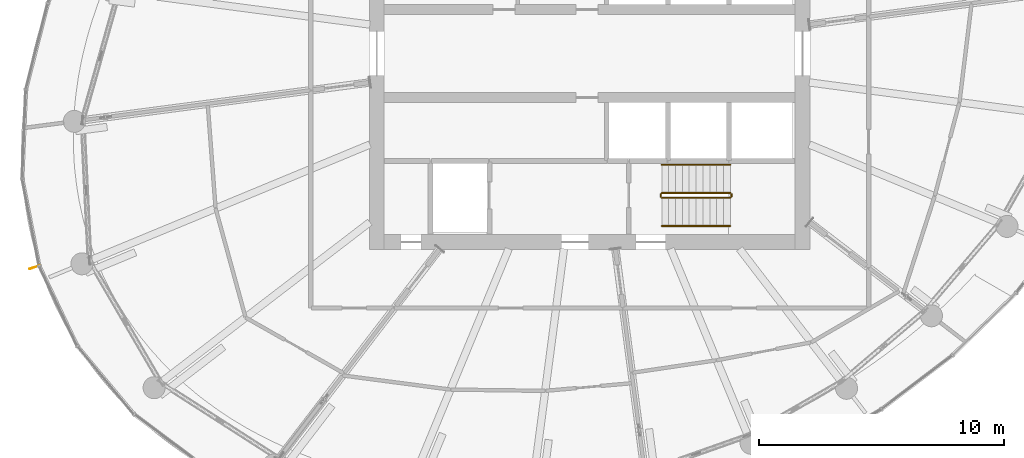
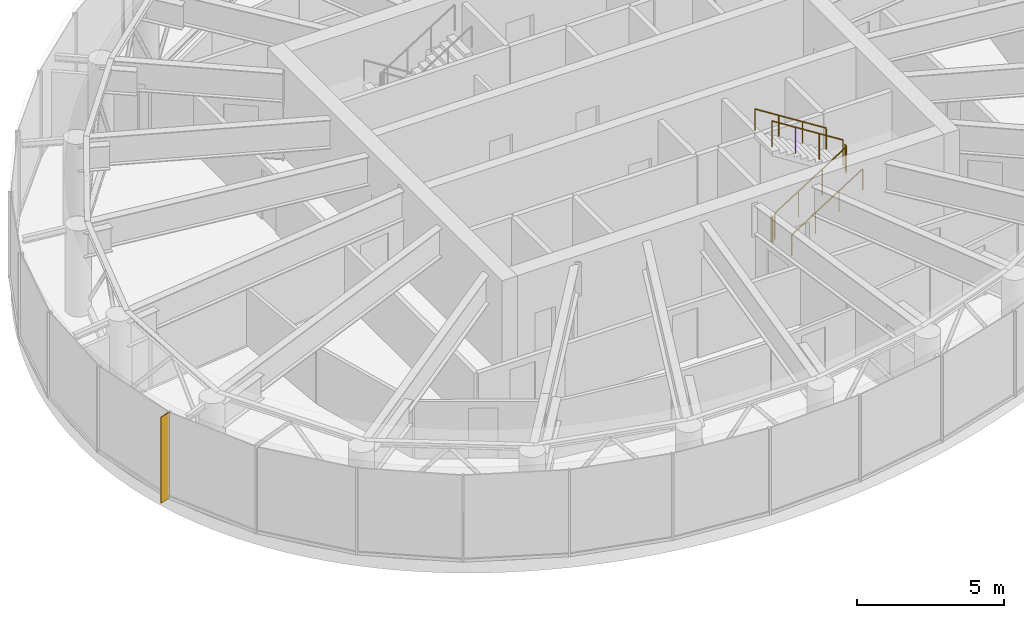
# One storey, part 25 of 26: 6 railings, 1 shading device.
"""IFC4 building model written with IfcOpenShell, lengths in metres."""

from ifc_helpers import new_model, si_unit, direction, frame, origin, origin_2d, place, context, subcontext, project, spatial, rectangle, circle, extrude, source, transform, mapped, material, material_profile, profile_set, type_object, element, save


model = new_model("IFC4")

# Units and contexts
model_context = context("Model", 3, precision=1e-05, world=origin(), true_north=direction((0.0, 1.0)))
body_context = subcontext(model_context, "Body", "Model", "MODEL_VIEW")
ifc_project = project(units=[si_unit("LENGTHUNIT", "METRE"), si_unit("AREAUNIT", "SQUARE_METRE"), si_unit("VOLUMEUNIT", "CUBIC_METRE"), si_unit("PLANEANGLEUNIT", "RADIAN"), si_unit("MASSUNIT", "GRAM", prefix="KILO")], contexts=[model_context])

# Site, building, storey
site_placement = place(None, origin())
site = spatial("IfcSite", under=ifc_project, at=site_placement, CompositionType="ELEMENT")
building_placement = place(site_placement, origin())
building = spatial("IfcBuilding", under=site, at=building_placement, Name="Spindrift Exchange Tower", CompositionType="ELEMENT")
storey_placement = place(building_placement, frame((0.0, 0.0, 230.60009765625)))
storey = spatial("IfcBuildingStorey", under=building, at=storey_placement, Name="L56", CompositionType="ELEMENT", Elevation=230.60009765625)

# Railings
ifc_material_1 = material(Name="Steel balustrade", Category="steel")
railing_type_1 = type_object("IfcRailingType", Name="RL-STAIR-GUARD", PredefinedType="GUARDRAIL", material=ifc_material_1)
railing_1_placement = place(storey_placement, frame((54.949951171875, 42.10009765625, 0.17724609375)))
element("IfcRailing", 1, at=railing_1_placement, inside=storey, type_object=railing_type_1, Name="L56 ST2 stair guard 1", PredefinedType="GUARDRAIL", context=body_context, shape_type="SweptSolid", body=[
    extrude(circle(Radius=0.02392578125, at=origin_2d()), frame((0.0, 0.0, 1.076171875), z_axis=(0.844908973607, 0.0, 0.534910110503), x_axis=(0.0, 1.0, 0.0)), (0.0, 0.0, 1.0), 3.31396484375),
    extrude(circle(Radius=0.02099609375, at=origin_2d()), origin(), (0.0, 0.0, 1.0), 1.052001953125),
    extrude(circle(Radius=0.02099609375, at=origin_2d()), frame((0.933349609375, 0.0, 0.5908203125)), (0.0, 0.0, 1.0), 1.052001953125),
    extrude(circle(Radius=0.02099609375, at=origin_2d()), frame((1.86669921875, 0.0, 1.181884765625)), (0.0, 0.0, 1.0), 1.052001953125),
    extrude(circle(Radius=0.02099609375, at=origin_2d()), frame((2.800048828125, 0.0, 1.772705078125)), (0.0, 0.0, 1.0), 1.052001953125),
])
railing_2_placement = place(storey_placement, frame((57.800048828125, 42.14990234375, 1.949951171875)))
element("IfcRailing", 2, at=railing_2_placement, inside=storey, type_object=railing_type_1, Name="L56 ST2 stair guard 2", PredefinedType="GUARDRAIL", context=body_context, shape_type="SweptSolid", body=[
    extrude(circle(Radius=0.02392578125, at=origin_2d()), frame((0.0, 0.0, 1.076171875), z_axis=(0.0, 1.0, 0.0), x_axis=(-1.0, 0.0, 0.0)), (0.0, 0.0, 1.0), 0.10009765625),
    extrude(circle(Radius=0.02099609375, at=origin_2d()), origin(), (0.0, 0.0, 1.0), 1.052001953125),
    extrude(circle(Radius=0.02099609375, at=origin_2d()), frame((0.0, 0.10009765625, 0.0)), (0.0, 0.0, 1.0), 1.052001953125),
])
railing_3_placement = place(storey_placement, frame((57.75, 42.300048828125, 2.127197265625)))
element("IfcRailing", 3, at=railing_3_placement, inside=storey, type_object=railing_type_1, Name="L56 ST2 stair guard 3", PredefinedType="GUARDRAIL", context=body_context, shape_type="SweptSolid", body=[
    extrude(circle(Radius=0.02392578125, at=origin_2d()), frame((0.0, 0.0, 1.076171875), z_axis=(-0.844908973607, 0.0, 0.534910110503), x_axis=(0.0, -1.0, 0.0)), (0.0, 0.0, 1.0), 3.31396484375),
    extrude(circle(Radius=0.02099609375, at=origin_2d()), origin(), (0.0, 0.0, 1.0), 1.052001953125),
    extrude(circle(Radius=0.02099609375, at=origin_2d()), frame((-0.933349609375, 0.0, 0.5908203125)), (0.0, 0.0, 1.0), 1.052001953125),
    extrude(circle(Radius=0.02099609375, at=origin_2d()), frame((-1.86669921875, 0.0, 1.181884765625)), (0.0, 0.0, 1.0), 1.052001953125),
    extrude(circle(Radius=0.02099609375, at=origin_2d()), frame((-2.800048828125, 0.0, 1.772705078125)), (0.0, 0.0, 1.0), 1.052001953125),
])
railing_4_placement = place(storey_placement, frame((54.89990234375, 42.14990234375, 0.0)))
element("IfcRailing", 4, at=railing_4_placement, inside=storey, type_object=railing_type_1, Name="L56 ST2 stair guard 4", PredefinedType="GUARDRAIL", context=body_context, shape_type="SweptSolid", body=[
    extrude(circle(Radius=0.02392578125, at=origin_2d()), frame((0.0, 0.0, 1.076171875), z_axis=(0.0, 1.0, 0.0), x_axis=(-1.0, 0.0, 0.0)), (0.0, 0.0, 1.0), 0.10009765625),
    extrude(circle(Radius=0.02099609375, at=origin_2d()), origin(), (0.0, 0.0, 1.0), 1.052001953125),
    extrude(circle(Radius=0.02099609375, at=origin_2d()), frame((0.0, 0.10009765625, 0.0)), (0.0, 0.0, 1.0), 1.052001953125),
])
ifc_material_2 = material(Name="Steel tubular handrail", Category="steel")
railing_type_2 = type_object("IfcRailingType", Name="RL-STAIR-HAND", PredefinedType="HANDRAIL", material=ifc_material_2)
railing_5_placement = place(storey_placement, frame((54.949951171875, 40.949951171875, 0.17724609375)))
element("IfcRailing", 5, at=railing_5_placement, inside=storey, type_object=railing_type_2, Name="L56 ST2 stair handrail 1", PredefinedType="HANDRAIL", context=body_context, shape_type="SweptSolid", body=[
    extrude(circle(Radius=0.02392578125, at=origin_2d()), frame((0.0, 0.0, 0.8759765625), z_axis=(0.844908973607, 0.0, 0.534910110503), x_axis=(0.0, 1.0, 0.0)), (0.0, 0.0, 1.0), 3.31396484375),
    extrude(circle(Radius=0.02099609375, at=origin_2d()), origin(), (0.0, 0.0, 1.0), 0.851806640625),
    extrude(circle(Radius=0.02099609375, at=origin_2d()), frame((0.933349609375, 0.0, 0.5908203125)), (0.0, 0.0, 1.0), 0.851806640625),
    extrude(circle(Radius=0.02099609375, at=origin_2d()), frame((1.86669921875, 0.0, 1.181884765625)), (0.0, 0.0, 1.0), 0.851806640625),
    extrude(circle(Radius=0.02099609375, at=origin_2d()), frame((2.800048828125, 0.0, 1.772705078125)), (0.0, 0.0, 1.0), 0.851806640625),
])
railing_6_placement = place(storey_placement, frame((57.75, 43.449951171875, 2.127197265625)))
element("IfcRailing", 6, at=railing_6_placement, inside=storey, type_object=railing_type_2, Name="L56 ST2 stair handrail 2", PredefinedType="HANDRAIL", context=body_context, shape_type="SweptSolid", body=[
    extrude(circle(Radius=0.02392578125, at=origin_2d()), frame((0.0, 0.0, 0.8759765625), z_axis=(-0.844908973607, 0.0, 0.534910110503), x_axis=(0.0, -1.0, 0.0)), (0.0, 0.0, 1.0), 3.31396484375),
    extrude(circle(Radius=0.02099609375, at=origin_2d()), origin(), (0.0, 0.0, 1.0), 0.851806640625),
    extrude(circle(Radius=0.02099609375, at=origin_2d()), frame((-0.933349609375, 0.0, 0.5908203125)), (0.0, 0.0, 1.0), 0.851806640625),
    extrude(circle(Radius=0.02099609375, at=origin_2d()), frame((-1.86669921875, 0.0, 1.181884765625)), (0.0, 0.0, 1.0), 0.851806640625),
    extrude(circle(Radius=0.02099609375, at=origin_2d()), frame((-2.800048828125, 0.0, 1.772705078125)), (0.0, 0.0, 1.0), 0.851806640625),
])

# Shading device
ifc_material_3 = material(Name="Bronze anodised aluminium", Category="aluminium")
ifc_material_profile = material_profile(ifc_material_3, rectangle(XDim=0.030029296875, YDim=0.449951171875, at=origin_2d()), Name="WIND FIN 30X450")
ifc_profile_set = profile_set([ifc_material_profile], Name="Bronze anodised aluminium")
shading_device_type = type_object("IfcShadingDeviceType", Name="WIND FIN 30X450", PredefinedType="USERDEFINED", material=ifc_profile_set)
shared_shape = source(origin(), body_context, "Body", "SweptSolid", [
    extrude(rectangle(XDim=0.030029296875, YDim=0.449951171875, at=origin_2d()), origin(), (0.0, 0.0, 1.0), 3.579833984375),
])
shading_device_placement = place(storey_placement, frame((29.31640625, 39.263427734375, 0.0), z_axis=(0.0, 0.0, 1.0), x_axis=(0.312683080468, -0.949857510993, 0.0)))
element("IfcShadingDevice", 7, at=shading_device_placement, inside=storey, type_object=shading_device_type, Name="L56 wind fin 1", ObjectType="FIN", PredefinedType="USERDEFINED", context=body_context, shape_type="MappedRepresentation", body=[
    mapped(shared_shape, transform((0.0, 0.0, 0.0), scale=1.0)),
])

save(model, "model.ifc")
